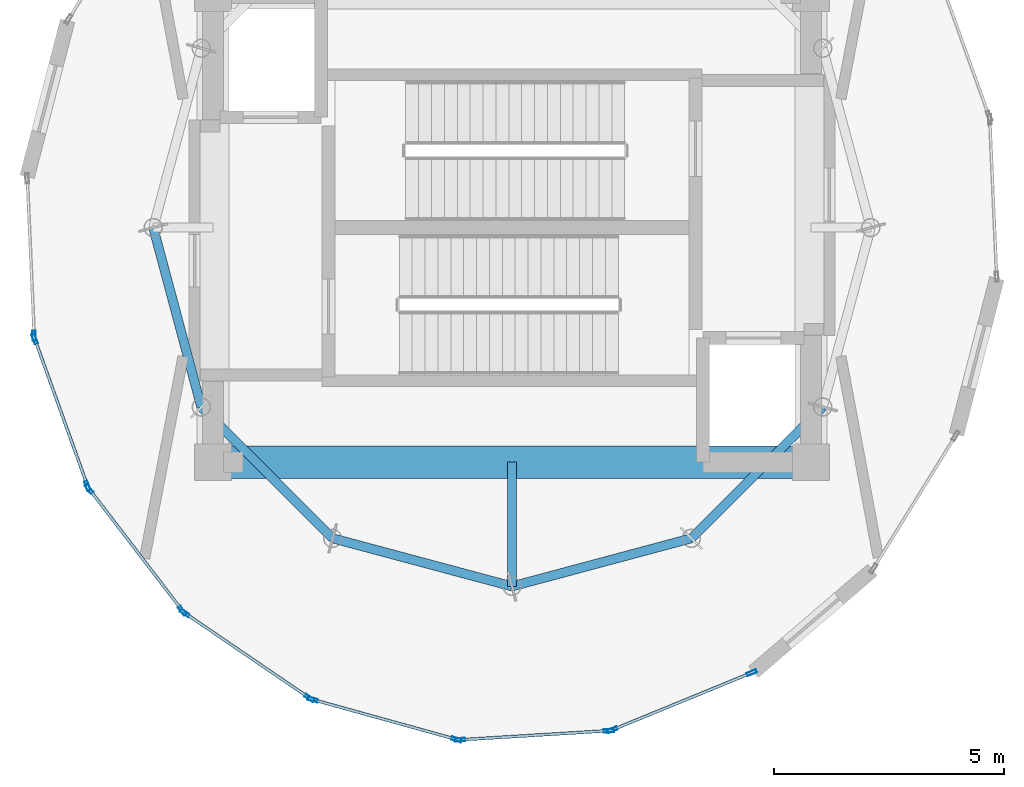
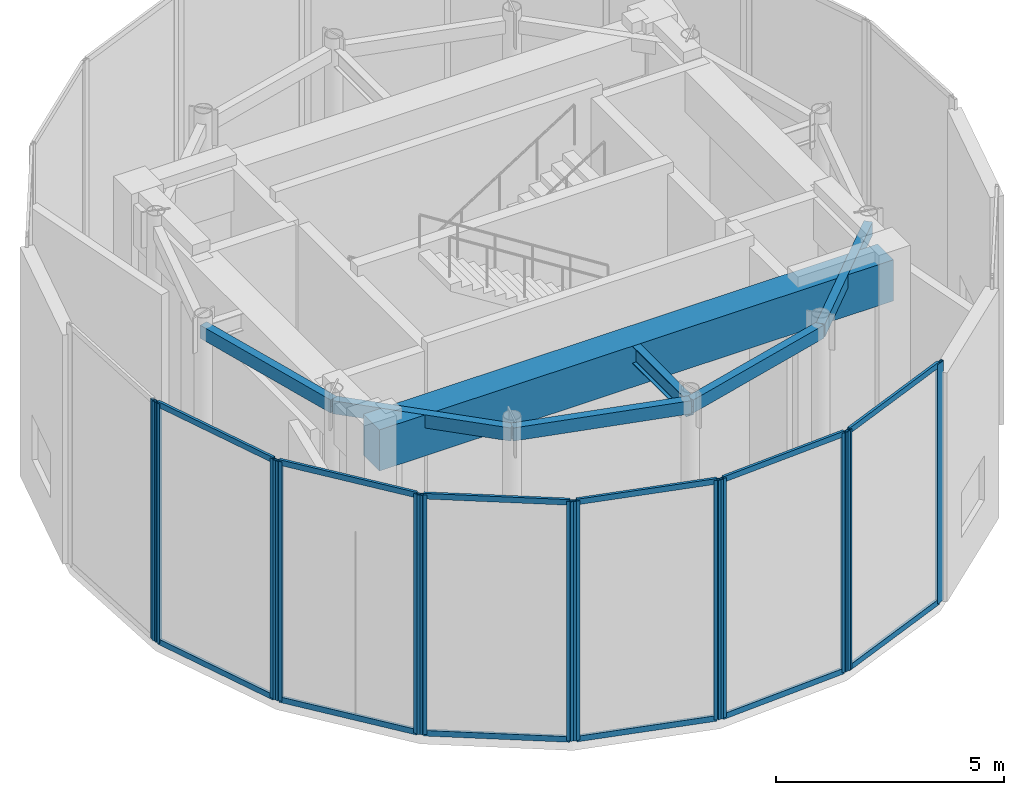
# One storey, part 2 of 8: 25 members, 7 beams, 7 elements without a shape of their own.
"""IFC4 building model written with IfcOpenShell, lengths in metres."""

from ifc_helpers import new_model, si_unit, direction, frame, origin, origin_2d, place, context, subcontext, project, spatial, rectangle, hollow_rectangle, i_section, extrude, source, transform, mapped, material, layer, layer_set, material_profile, profile_set, type_object, element, aggregate, save


model = new_model("IFC4")

# Units and contexts
model_context = context("Model", 3, precision=1e-05, world=origin(), true_north=direction((0.0, 1.0)))
body_context = subcontext(model_context, "Body", "Model", "MODEL_VIEW")
ifc_project = project(units=[si_unit("LENGTHUNIT", "METRE"), si_unit("AREAUNIT", "SQUARE_METRE"), si_unit("VOLUMEUNIT", "CUBIC_METRE"), si_unit("PLANEANGLEUNIT", "RADIAN"), si_unit("MASSUNIT", "GRAM", prefix="KILO")], contexts=[model_context])

# Site, building, storey
site_placement = place(None, origin())
site = spatial("IfcSite", under=ifc_project, at=site_placement, CompositionType="ELEMENT")
building_placement = place(site_placement, origin())
building = spatial("IfcBuilding", under=site, at=building_placement, Name="Solvirekh Grand Hotel", CompositionType="ELEMENT")
storey_placement = place(building_placement, frame((0.0, 0.0, 321.0)))
storey = spatial("IfcBuildingStorey", under=building, at=storey_placement, Name="L81", CompositionType="ELEMENT", Elevation=321.0)

# Beams
ifc_material_1 = material(Name="Concrete C60/75", Category="concrete")
ifc_material_profile_1 = material_profile(ifc_material_1, rectangle(XDim=0.699951171875, YDim=1.10009765625, at=origin_2d()), Name="RC BEAM 700X1100")
ifc_profile_set_1 = profile_set([ifc_material_profile_1], Name="Concrete C60/75")
beam_type_1 = type_object("IfcBeamType", Name="Beam_Core_RC1100", PredefinedType="BEAM", material=ifc_profile_set_1)
beam_1_placement = place(storey_placement, frame((-6.5, -5.10009765625, 5.570068359375), z_axis=(1.0, 0.0, 0.0), x_axis=(0.0, 1.0, 0.0)))
element("IfcBeam", 1, at=beam_1_placement, inside=storey, type_object=beam_type_1, Name="L81 core coupling ring beam 1", PredefinedType="BEAM", context=body_context, shape_type="SweptSolid", body=[
    extrude(rectangle(XDim=0.699951171875, YDim=1.10009765625, at=origin_2d()), origin(), (0.0, 0.0, 1.0), 13.0),
])
ifc_material_2 = material(Name="Steel S355", Category="steel")
ifc_material_profile_2 = material_profile(ifc_material_2, i_section(OverallWidth=0.194091796875, OverallDepth=0.468994140625, WebThickness=0.010986328125, FlangeThickness=0.01904296875, FilletRadius=0.012939453125, at=origin_2d()), Name="W460X106")
ifc_profile_set_2 = profile_set([ifc_material_profile_2], Name="Steel S355")
beam_type_2 = type_object("IfcBeamType", Name="Beam_Radial_W460H", PredefinedType="BEAM", material=ifc_profile_set_2)
beam_2_placement = place(storey_placement, frame((0.0, -5.10009765625, 5.885009765625), z_axis=(0.0, -1.0, 0.0), x_axis=(1.0, 0.0, 0.0)))
element("IfcBeam", 2, at=beam_2_placement, inside=storey, type_object=beam_type_2, Name="L81 radial floor beam R10", PredefinedType="BEAM", context=body_context, shape_type="SweptSolid", body=[
    extrude(i_section(OverallWidth=0.194091796875, OverallDepth=0.468994140625, WebThickness=0.010986328125, FlangeThickness=0.01904296875, FilletRadius=0.012939453125, at=origin_2d()), origin(), (0.0, 0.0, 1.0), 2.699951171875),
])
ifc_material_profile_3 = material_profile(ifc_material_2, hollow_rectangle(XDim=0.199951171875, YDim=0.35009765625, WallThickness=0.013916015625, at=origin_2d()), Name="RHS 350X200X14")
ifc_profile_set_3 = profile_set([ifc_material_profile_3], Name="Steel S355")
beam_type_3 = type_object("IfcBeamType", Name="Spandrel_Crown_RHS350", PredefinedType="SPANDREL", material=ifc_profile_set_3)
for number, where, z_axis, x_axis, name in (
    (3, (-7.800048828125, 0.0, 5.945068359375), (0.258863027773, -0.965914040095, 0.0), (0.965914040095, 0.258863027773, 0.0), "L81 perimeter spandrel beam 7"),
    (4, (-6.7548828125, -3.89990234375, 5.945068359375), (0.707106781187, -0.707106781187, 0.0), (0.707106781187, 0.707106781187, 0.0), "L81 perimeter spandrel beam 8"),
    (5, (-3.89990234375, -6.7548828125, 5.945068359375), (0.965914040095, -0.258863027773, 0.0), (0.258863027773, 0.965914040095, 0.0), "L81 perimeter spandrel beam 9"),
    (6, (0.0, -7.800048828125, 5.945068359375), (0.965914040095, 0.258863027773, 0.0), (-0.258863027773, 0.965914040095, 0.0), "L81 perimeter spandrel beam 10"),
    (7, (3.89990234375, -6.7548828125, 5.945068359375), (0.707106781187, 0.707106781187, 0.0), (-0.707106781187, 0.707106781187, 0.0), "L81 perimeter spandrel beam 11"),
):
    element("IfcBeam", number, at=place(storey_placement, frame(where, z_axis=z_axis, x_axis=x_axis)), inside=storey, type_object=beam_type_3, Name=name, PredefinedType="SPANDREL", context=body_context, shape_type="SweptSolid", body=[
        extrude(hollow_rectangle(XDim=0.199951171875, YDim=0.35009765625, WallThickness=0.013916015625, at=origin_2d()), origin(), (0.0, 0.0, 1.0), 4.03759765625),
    ])

# Curtain wall, members
ifc_material_3 = material(Name="Anodized Bronze Aluminium 6063-T6", Category="aluminium")
ifc_layer = layer(ifc_material_3, 0.219970703125)
ifc_layer_set = layer_set([ifc_layer], Name="Anodized Bronze Aluminium 6063-T6")
curtain_wall_type = type_object("IfcCurtainWallType", Name="CW_Sys6_CrownFacetedPointCW", PredefinedType="NOTDEFINED", material=ifc_layer_set)
curtain_wall_1_placement = place(storey_placement, origin())
curtain_wall_1 = element("IfcCurtainWall", 8, at=curtain_wall_1_placement, inside=storey, type_object=curtain_wall_type, Name="L81 unitised bronze-glass curtain wall CW-L81-C01", PredefinedType="NOTDEFINED")
ifc_material_profile_4 = material_profile(ifc_material_3, hollow_rectangle(XDim=0.074951171875, YDim=0.219970703125, WallThickness=0.006103515625, at=origin_2d()), Name="ALU RHS 220X75X6")
ifc_profile_set_4 = profile_set([ifc_material_profile_4], Name="Anodized Bronze Aluminium 6063-T6")
member_type_1 = type_object("IfcMemberType", Name="CWMullion_Sys6", PredefinedType="MULLION", material=ifc_profile_set_4)
shared_shape_1 = source(origin(), body_context, "Body", "SweptSolid", [
    extrude(hollow_rectangle(XDim=0.074951171875, YDim=0.219970703125, WallThickness=0.006103515625, at=origin_2d()), origin(), (0.0, 0.0, 1.0), 6.39990234375),
])
member_1_placement = place(storey_placement, frame((-1.133544921875, -11.13671875, 0.0), z_axis=(0.0, 0.0, 1.0), x_axis=(-0.061122306981, 0.998130283875, 0.0)))
member_1 = element("IfcMember", 9, at=member_1_placement, type_object=member_type_1, Name="U06 mullion 1", PredefinedType="MULLION", context=body_context, shape_type="MappedRepresentation", body=[
    mapped(shared_shape_1, transform((0.0, 0.0, 0.0), x_axis=(1.0, 0.0, 0.0), y_axis=(0.0, 1.0, 0.0), z_axis=(0.0, 0.0, 1.0), scale=1.0)),
])
member_2_placement = place(storey_placement, frame((2.106689453125, -10.938232421875, 0.0), z_axis=(0.0, 0.0, 1.0), x_axis=(-0.061122306981, 0.998130283875, 0.0)))
member_2 = element("IfcMember", 10, at=member_2_placement, type_object=member_type_1, Name="U06 mullion 2", PredefinedType="MULLION", context=body_context, shape_type="MappedRepresentation", body=[
    mapped(shared_shape_1, transform((0.0, 0.0, 0.0), x_axis=(1.0, 0.0, 0.0), y_axis=(0.0, 1.0, 0.0), z_axis=(0.0, 0.0, 1.0), scale=1.0)),
])

curtain_wall_2_placement = place(storey_placement, origin())
curtain_wall_2 = element("IfcCurtainWall", 11, at=curtain_wall_2_placement, inside=storey, type_object=curtain_wall_type, Name="L81 unitised bronze-glass curtain wall CW-L81-C02", PredefinedType="NOTDEFINED")
member_3_placement = place(storey_placement, frame((2.1787109375, -10.921875, 0.0), z_axis=(0.0, 0.0, 1.0), x_axis=(-0.379340525801, 0.925257134793, 0.0)))
member_3 = element("IfcMember", 12, at=member_3_placement, type_object=member_type_1, Name="U06 mullion 1", PredefinedType="MULLION", context=body_context, shape_type="MappedRepresentation", body=[
    mapped(shared_shape_1, transform((0.0, 0.0, 0.0), x_axis=(1.0, 0.0, 0.0), y_axis=(0.0, 1.0, 0.0), z_axis=(0.0, 0.0, 1.0), scale=1.0)),
])
member_4_placement = place(storey_placement, frame((5.21435546875, -9.67724609375, 0.0), z_axis=(0.0, 0.0, 1.0), x_axis=(-0.379340525801, 0.925257134793, 0.0)))
member_4 = element("IfcMember", 13, at=member_4_placement, type_object=member_type_1, Name="U06 mullion 2", PredefinedType="MULLION", context=body_context, shape_type="MappedRepresentation", body=[
    mapped(shared_shape_1, transform((0.0, 0.0, 0.0), x_axis=(1.0, 0.0, 0.0), y_axis=(0.0, 1.0, 0.0), z_axis=(0.0, 0.0, 1.0), scale=1.0)),
])

# Curtain wall, member
curtain_wall_3_placement = place(storey_placement, origin())
curtain_wall_3 = element("IfcCurtainWall", 14, at=curtain_wall_3_placement, inside=storey, type_object=curtain_wall_type, Name="L81 unitised bronze-glass curtain wall CW-L81-C16", PredefinedType="NOTDEFINED")
member_5_placement = place(storey_placement, frame((-10.3896484375, -2.3505859375, 0.0), z_axis=(0.0, 0.0, 1.0), x_axis=(0.99903119333, 0.044007666982, 0.0)))
member_5 = element("IfcMember", 15, at=member_5_placement, type_object=member_type_1, Name="U06 mullion 2", PredefinedType="MULLION", context=body_context, shape_type="MappedRepresentation", body=[
    mapped(shared_shape_1, transform((0.0, 0.0, 0.0), x_axis=(1.0, 0.0, 0.0), y_axis=(0.0, 1.0, 0.0), z_axis=(0.0, 0.0, 1.0), scale=1.0)),
])
aggregate(curtain_wall_3, [member_5])

# Curtain wall, members
curtain_wall_4_placement = place(storey_placement, origin())
curtain_wall_4 = element("IfcCurtainWall", 16, at=curtain_wall_4_placement, inside=storey, type_object=curtain_wall_type, Name="L81 unitised bronze-glass curtain wall CW-L81-C17", PredefinedType="NOTDEFINED")
member_6_placement = place(storey_placement, frame((-10.375244140625, -2.42333984375, 0.0), z_axis=(0.0, 0.0, 1.0), x_axis=(0.941225242691, 0.337779576826, 0.0)))
member_6 = element("IfcMember", 17, at=member_6_placement, type_object=member_type_1, Name="U06 mullion 1", PredefinedType="MULLION", context=body_context, shape_type="MappedRepresentation", body=[
    mapped(shared_shape_1, transform((0.0, 0.0, 0.0), x_axis=(1.0, 0.0, 0.0), y_axis=(0.0, 1.0, 0.0), z_axis=(0.0, 0.0, 1.0), scale=1.0)),
])
member_7_placement = place(storey_placement, frame((-9.229736328125, -5.61572265625, 0.0), z_axis=(0.0, 0.0, 1.0), x_axis=(0.941225242691, 0.337779576826, 0.0)))
member_7 = element("IfcMember", 18, at=member_7_placement, type_object=member_type_1, Name="U06 mullion 2", PredefinedType="MULLION", context=body_context, shape_type="MappedRepresentation", body=[
    mapped(shared_shape_1, transform((0.0, 0.0, 0.0), x_axis=(1.0, 0.0, 0.0), y_axis=(0.0, 1.0, 0.0), z_axis=(0.0, 0.0, 1.0), scale=1.0)),
])

curtain_wall_5_placement = place(storey_placement, origin())
curtain_wall_5 = element("IfcCurtainWall", 19, at=curtain_wall_5_placement, inside=storey, type_object=curtain_wall_type, Name="L81 unitised bronze-glass curtain wall CW-L81-C18", PredefinedType="NOTDEFINED")
member_8_placement = place(storey_placement, frame((-9.194091796875, -5.6806640625, 0.0), z_axis=(0.0, 0.0, 1.0), x_axis=(0.79415808591, 0.607711226311, 0.0)))
member_8 = element("IfcMember", 20, at=member_8_placement, type_object=member_type_1, Name="U06 mullion 1", PredefinedType="MULLION", context=body_context, shape_type="MappedRepresentation", body=[
    mapped(shared_shape_1, transform((0.0, 0.0, 0.0), x_axis=(1.0, 0.0, 0.0), y_axis=(0.0, 1.0, 0.0), z_axis=(0.0, 0.0, 1.0), scale=1.0)),
])
member_9_placement = place(storey_placement, frame((-7.166748046875, -8.330322265625, 0.0), z_axis=(0.0, 0.0, 1.0), x_axis=(0.79415808591, 0.607711226311, 0.0)))
member_9 = element("IfcMember", 21, at=member_9_placement, type_object=member_type_1, Name="U06 mullion 2", PredefinedType="MULLION", context=body_context, shape_type="MappedRepresentation", body=[
    mapped(shared_shape_1, transform((0.0, 0.0, 0.0), x_axis=(1.0, 0.0, 0.0), y_axis=(0.0, 1.0, 0.0), z_axis=(0.0, 0.0, 1.0), scale=1.0)),
])

curtain_wall_6_placement = place(storey_placement, origin())
curtain_wall_6 = element("IfcCurtainWall", 22, at=curtain_wall_6_placement, inside=storey, type_object=curtain_wall_type, Name="L81 unitised bronze-glass curtain wall CW-L81-C19", PredefinedType="NOTDEFINED")
member_10_placement = place(storey_placement, frame((-7.113037109375, -8.381103515625, 0.0), z_axis=(0.0, 0.0, 1.0), x_axis=(0.563401537327, 0.82618321681, 0.0)))
member_10 = element("IfcMember", 23, at=member_10_placement, type_object=member_type_1, Name="U06 mullion 1", PredefinedType="MULLION", context=body_context, shape_type="MappedRepresentation", body=[
    mapped(shared_shape_1, transform((0.0, 0.0, 0.0), x_axis=(1.0, 0.0, 0.0), y_axis=(0.0, 1.0, 0.0), z_axis=(0.0, 0.0, 1.0), scale=1.0)),
])
member_11_placement = place(storey_placement, frame((-4.402099609375, -10.22998046875, 0.0), z_axis=(0.0, 0.0, 1.0), x_axis=(0.563401537327, 0.82618321681, 0.0)))
member_11 = element("IfcMember", 24, at=member_11_placement, type_object=member_type_1, Name="U06 mullion 2", PredefinedType="MULLION", context=body_context, shape_type="MappedRepresentation", body=[
    mapped(shared_shape_1, transform((0.0, 0.0, 0.0), x_axis=(1.0, 0.0, 0.0), y_axis=(0.0, 1.0, 0.0), z_axis=(0.0, 0.0, 1.0), scale=1.0)),
])

curtain_wall_7_placement = place(storey_placement, origin())
curtain_wall_7 = element("IfcCurtainWall", 25, at=curtain_wall_7_placement, inside=storey, type_object=curtain_wall_type, Name="L81 unitised bronze-glass curtain wall CW-L81-C20", PredefinedType="NOTDEFINED")
member_12_placement = place(storey_placement, frame((-4.3349609375, -10.260986328125, 0.0), z_axis=(0.0, 0.0, 1.0), x_axis=(0.267395365432, 0.963586902436, 0.0)))
member_12 = element("IfcMember", 26, at=member_12_placement, type_object=member_type_1, Name="U06 mullion 1", PredefinedType="MULLION", context=body_context, shape_type="MappedRepresentation", body=[
    mapped(shared_shape_1, transform((0.0, 0.0, 0.0), x_axis=(1.0, 0.0, 0.0), y_axis=(0.0, 1.0, 0.0), z_axis=(0.0, 0.0, 1.0), scale=1.0)),
])
member_13_placement = place(storey_placement, frame((-1.20703125, -11.12890625, 0.0), z_axis=(0.0, 0.0, 1.0), x_axis=(0.267395365432, 0.963586902436, 0.0)))
member_13 = element("IfcMember", 27, at=member_13_placement, type_object=member_type_1, Name="U06 mullion 2", PredefinedType="MULLION", context=body_context, shape_type="MappedRepresentation", body=[
    mapped(shared_shape_1, transform((0.0, 0.0, 0.0), x_axis=(1.0, 0.0, 0.0), y_axis=(0.0, 1.0, 0.0), z_axis=(0.0, 0.0, 1.0), scale=1.0)),
])

# Member
ifc_material_profile_5 = material_profile(ifc_material_3, hollow_rectangle(XDim=0.06494140625, YDim=0.14990234375, WallThickness=0.0048828125, at=origin_2d()), Name="ALU RHS 150X65X5")
ifc_profile_set_5 = profile_set([ifc_material_profile_5], Name="Anodized Bronze Aluminium 6063-T6")
member_type_2 = type_object("IfcMemberType", Name="CWTransom_Sys6", PredefinedType="USERDEFINED", material=ifc_profile_set_5)
shared_shape_2 = source(origin(), body_context, "Body", "SweptSolid", [
    extrude(hollow_rectangle(XDim=0.06494140625, YDim=0.14990234375, WallThickness=0.0048828125, at=origin_2d()), origin(), (0.0, 0.0, 1.0), 3.171142578125),
])
member_14_placement = place(storey_placement, frame((-1.09619140625, -11.134521484375, 0.032470703125), z_axis=(0.998129979245, 0.061127281413, 0.0), x_axis=(-0.061127281413, 0.998129979245, 0.0)))
member_14 = element("IfcMember", 28, at=member_14_placement, type_object=member_type_2, Name="U06 transom 1.1", ObjectType="TRANSOM", PredefinedType="USERDEFINED", context=body_context, shape_type="MappedRepresentation", body=[
    mapped(shared_shape_2, transform((0.0, 0.0, 0.0), x_axis=(1.0, 0.0, 0.0), y_axis=(0.0, 1.0, 0.0), z_axis=(0.0, 0.0, 1.0), scale=1.0)),
])

member_15_placement = place(storey_placement, frame((-1.09619140625, -11.134521484375, 6.367431640625), z_axis=(0.998129979245, 0.061127281413, 0.0), x_axis=(-0.061127281413, 0.998129979245, 0.0)))
member_15 = element("IfcMember", 29, at=member_15_placement, type_object=member_type_2, Name="U06 transom 1.2", ObjectType="TRANSOM", PredefinedType="USERDEFINED", context=body_context, shape_type="MappedRepresentation", body=[
    mapped(shared_shape_2, transform((0.0, 0.0, 0.0), x_axis=(1.0, 0.0, 0.0), y_axis=(0.0, 1.0, 0.0), z_axis=(0.0, 0.0, 1.0), scale=1.0)),
])

aggregate(curtain_wall_1, [member_1, member_2, member_14, member_15])

member_16_placement = place(storey_placement, frame((-4.298828125, -10.27099609375, 0.032470703125), z_axis=(0.963590671335, -0.267381783441, 0.0), x_axis=(0.267381783441, 0.963590671335, 0.0)))
member_16 = element("IfcMember", 30, at=member_16_placement, type_object=member_type_2, Name="U06 transom 1.1", ObjectType="TRANSOM", PredefinedType="USERDEFINED", context=body_context, shape_type="MappedRepresentation", body=[
    mapped(shared_shape_2, transform((0.0, 0.0, 0.0), x_axis=(1.0, 0.0, 0.0), y_axis=(0.0, 1.0, 0.0), z_axis=(0.0, 0.0, 1.0), scale=1.0)),
])

member_17_placement = place(storey_placement, frame((-4.298828125, -10.27099609375, 6.367431640625), z_axis=(0.963590671335, -0.267381783441, 0.0), x_axis=(0.267381783441, 0.963590671335, 0.0)))
member_17 = element("IfcMember", 31, at=member_17_placement, type_object=member_type_2, Name="U06 transom 1.2", ObjectType="TRANSOM", PredefinedType="USERDEFINED", context=body_context, shape_type="MappedRepresentation", body=[
    mapped(shared_shape_2, transform((0.0, 0.0, 0.0), x_axis=(1.0, 0.0, 0.0), y_axis=(0.0, 1.0, 0.0), z_axis=(0.0, 0.0, 1.0), scale=1.0)),
])

aggregate(curtain_wall_7, [member_12, member_13, member_16, member_17])

shared_shape_3 = source(origin(), body_context, "Body", "SweptSolid", [
    extrude(hollow_rectangle(XDim=0.06494140625, YDim=0.14990234375, WallThickness=0.0048828125, at=origin_2d()), origin(), (0.0, 0.0, 1.0), 3.205810546875),
])
member_18_placement = place(storey_placement, frame((2.21337890625, -10.907470703125, 0.032470703125), z_axis=(0.925265269476, 0.379320683725, 0.0), x_axis=(-0.379320683725, 0.925265269476, 0.0)))
member_18 = element("IfcMember", 32, at=member_18_placement, type_object=member_type_2, Name="U06 transom 1.1", ObjectType="TRANSOM", PredefinedType="USERDEFINED", context=body_context, shape_type="MappedRepresentation", body=[
    mapped(shared_shape_3, transform((0.0, 0.0, 0.0), x_axis=(1.0, 0.0, 0.0), y_axis=(0.0, 1.0, 0.0), z_axis=(0.0, 0.0, 1.0), scale=1.0)),
])

member_19_placement = place(storey_placement, frame((2.21337890625, -10.907470703125, 6.367431640625), z_axis=(0.925265269476, 0.379320683725, 0.0), x_axis=(-0.379320683725, 0.925265269476, 0.0)))
member_19 = element("IfcMember", 33, at=member_19_placement, type_object=member_type_2, Name="U06 transom 1.2", ObjectType="TRANSOM", PredefinedType="USERDEFINED", context=body_context, shape_type="MappedRepresentation", body=[
    mapped(shared_shape_3, transform((0.0, 0.0, 0.0), x_axis=(1.0, 0.0, 0.0), y_axis=(0.0, 1.0, 0.0), z_axis=(0.0, 0.0, 1.0), scale=1.0)),
])

aggregate(curtain_wall_2, [member_3, member_4, member_18, member_19])

shared_shape_4 = source(origin(), body_context, "Body", "SweptSolid", [
    extrude(hollow_rectangle(XDim=0.06494140625, YDim=0.14990234375, WallThickness=0.0048828125, at=origin_2d()), origin(), (0.0, 0.0, 1.0), 3.316650390625),
])
member_20_placement = place(storey_placement, frame((-10.362548828125, -2.45849609375, 0.032470703125), z_axis=(0.337720960099, -0.941246276545, 0.0), x_axis=(0.941246276545, 0.337720960099, 0.0)))
member_20 = element("IfcMember", 34, at=member_20_placement, type_object=member_type_2, Name="U06 transom 1.1", ObjectType="TRANSOM", PredefinedType="USERDEFINED", context=body_context, shape_type="MappedRepresentation", body=[
    mapped(shared_shape_4, transform((0.0, 0.0, 0.0), x_axis=(1.0, 0.0, 0.0), y_axis=(0.0, 1.0, 0.0), z_axis=(0.0, 0.0, 1.0), scale=1.0)),
])

member_21_placement = place(storey_placement, frame((-10.362548828125, -2.45849609375, 6.367431640625), z_axis=(0.337720960099, -0.941246276545, 0.0), x_axis=(0.941246276545, 0.337720960099, 0.0)))
member_21 = element("IfcMember", 35, at=member_21_placement, type_object=member_type_2, Name="U06 transom 1.2", ObjectType="TRANSOM", PredefinedType="USERDEFINED", context=body_context, shape_type="MappedRepresentation", body=[
    mapped(shared_shape_4, transform((0.0, 0.0, 0.0), x_axis=(1.0, 0.0, 0.0), y_axis=(0.0, 1.0, 0.0), z_axis=(0.0, 0.0, 1.0), scale=1.0)),
])

aggregate(curtain_wall_4, [member_6, member_7, member_20, member_21])

shared_shape_5 = source(origin(), body_context, "Body", "SweptSolid", [
    extrude(hollow_rectangle(XDim=0.06494140625, YDim=0.14990234375, WallThickness=0.0048828125, at=origin_2d()), origin(), (0.0, 0.0, 1.0), 3.26123046875),
])
member_22_placement = place(storey_placement, frame((-9.17138671875, -5.71044921875, 0.032470703125), z_axis=(0.607650154635, -0.794204815883, 0.0), x_axis=(0.794204815883, 0.607650154635, 0.0)))
member_22 = element("IfcMember", 36, at=member_22_placement, type_object=member_type_2, Name="U06 transom 1.1", ObjectType="TRANSOM", PredefinedType="USERDEFINED", context=body_context, shape_type="MappedRepresentation", body=[
    mapped(shared_shape_5, transform((0.0, 0.0, 0.0), x_axis=(1.0, 0.0, 0.0), y_axis=(0.0, 1.0, 0.0), z_axis=(0.0, 0.0, 1.0), scale=1.0)),
])

member_23_placement = place(storey_placement, frame((-9.17138671875, -5.71044921875, 6.367431640625), z_axis=(0.607650154635, -0.794204815883, 0.0), x_axis=(0.794204815883, 0.607650154635, 0.0)))
member_23 = element("IfcMember", 37, at=member_23_placement, type_object=member_type_2, Name="U06 transom 1.2", ObjectType="TRANSOM", PredefinedType="USERDEFINED", context=body_context, shape_type="MappedRepresentation", body=[
    mapped(shared_shape_5, transform((0.0, 0.0, 0.0), x_axis=(1.0, 0.0, 0.0), y_axis=(0.0, 1.0, 0.0), z_axis=(0.0, 0.0, 1.0), scale=1.0)),
])

aggregate(curtain_wall_5, [member_8, member_9, member_22, member_23])

shared_shape_6 = source(origin(), body_context, "Body", "SweptSolid", [
    extrude(hollow_rectangle(XDim=0.06494140625, YDim=0.14990234375, WallThickness=0.0048828125, at=origin_2d()), origin(), (0.0, 0.0, 1.0), 3.20654296875),
])
member_24_placement = place(storey_placement, frame((-7.08203125, -8.40234375, 0.032470703125), z_axis=(0.826206400766, -0.563367538409, 0.0), x_axis=(0.563367538409, 0.826206400766, 0.0)))
member_24 = element("IfcMember", 38, at=member_24_placement, type_object=member_type_2, Name="U06 transom 1.1", ObjectType="TRANSOM", PredefinedType="USERDEFINED", context=body_context, shape_type="MappedRepresentation", body=[
    mapped(shared_shape_6, transform((0.0, 0.0, 0.0), x_axis=(1.0, 0.0, 0.0), y_axis=(0.0, 1.0, 0.0), z_axis=(0.0, 0.0, 1.0), scale=1.0)),
])

member_25_placement = place(storey_placement, frame((-7.08203125, -8.40234375, 6.367431640625), z_axis=(0.826206400766, -0.563367538409, 0.0), x_axis=(0.563367538409, 0.826206400766, 0.0)))
member_25 = element("IfcMember", 39, at=member_25_placement, type_object=member_type_2, Name="U06 transom 1.2", ObjectType="TRANSOM", PredefinedType="USERDEFINED", context=body_context, shape_type="MappedRepresentation", body=[
    mapped(shared_shape_6, transform((0.0, 0.0, 0.0), x_axis=(1.0, 0.0, 0.0), y_axis=(0.0, 1.0, 0.0), z_axis=(0.0, 0.0, 1.0), scale=1.0)),
])

aggregate(curtain_wall_6, [member_10, member_11, member_24, member_25])

save(model, "model.ifc")
